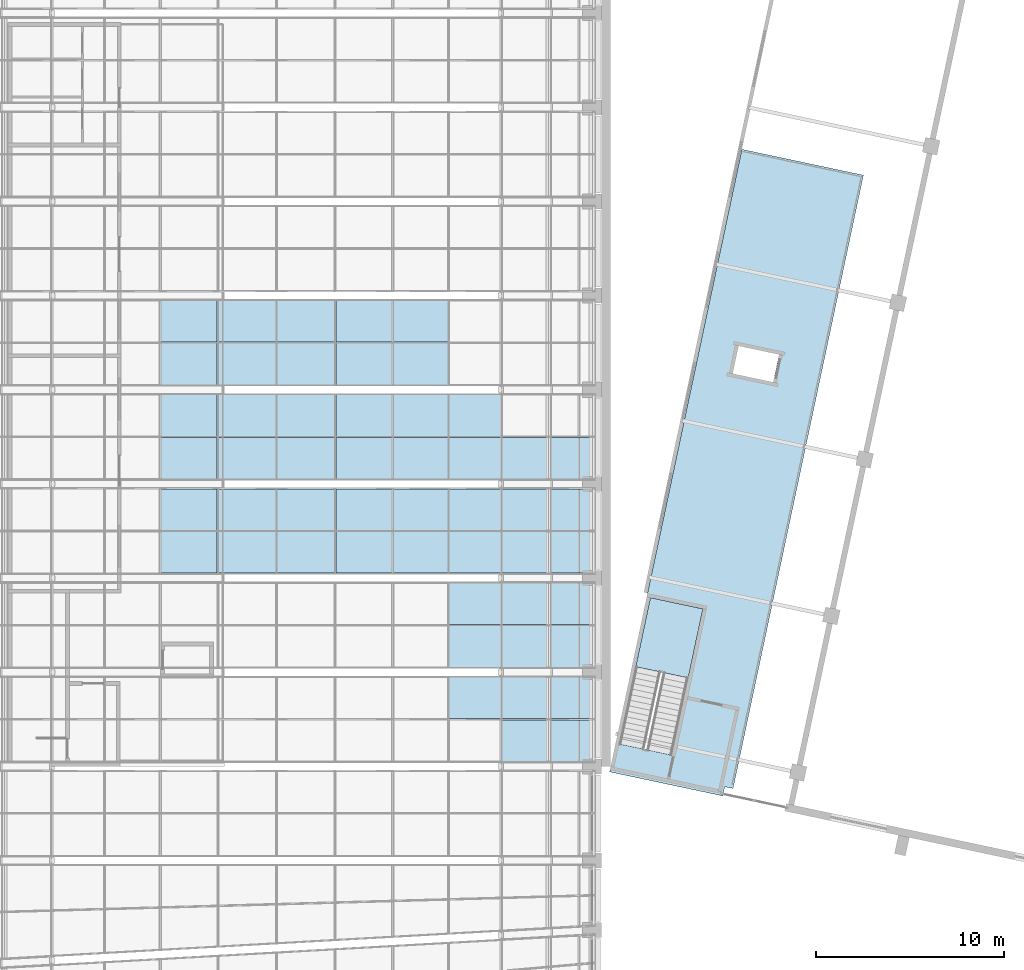
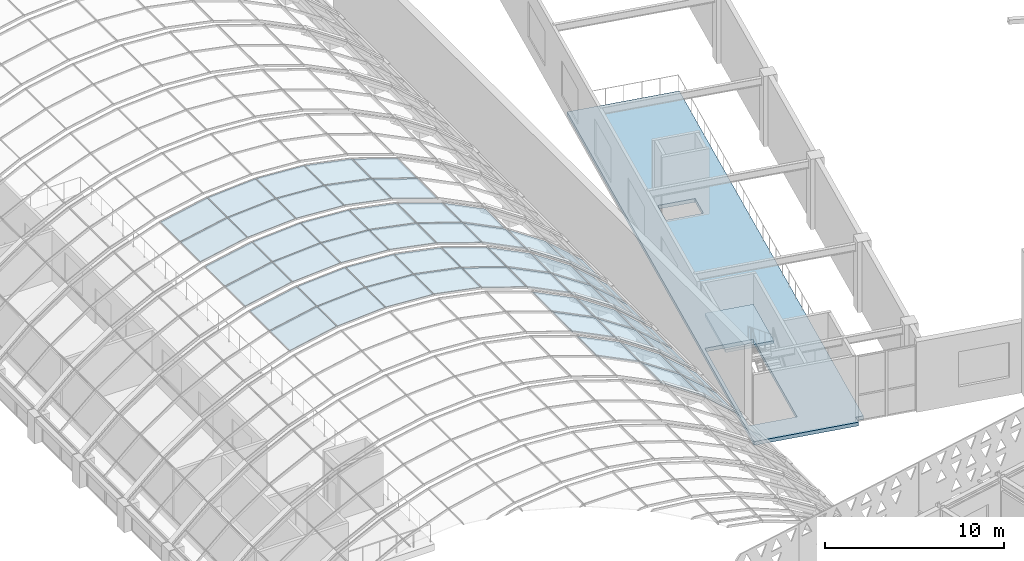
# One storey, part 107 of 182: 51 plates, 2 slabs, 6 elements without a shape of their own.
"""IFC4 building model written with IfcOpenShell, lengths in metres."""

from ifc_helpers import new_model, si_unit, direction, frame, origin, place, context, subcontext, project, spatial, polyline, outline, extrude, material, layer, layer_set, type_object, element, aggregate, save


model = new_model("IFC4")

# Units and contexts
model_context = context("Model", 3, precision=1e-05, world=origin(), true_north=direction((0.0, 1.0)))
body_context = subcontext(model_context, "Body", "Model", "MODEL_VIEW")
ifc_project = project(units=[si_unit("LENGTHUNIT", "METRE"), si_unit("AREAUNIT", "SQUARE_METRE"), si_unit("VOLUMEUNIT", "CUBIC_METRE"), si_unit("PLANEANGLEUNIT", "RADIAN"), si_unit("MASSUNIT", "GRAM", prefix="KILO")], contexts=[model_context])

# Site, building, storey
site_placement = place(None, origin())
site = spatial("IfcSite", under=ifc_project, at=site_placement, CompositionType="ELEMENT")
building_placement = place(site_placement, origin())
building = spatial("IfcBuilding", under=site, at=building_placement, Name="Okhra Congress Centre", CompositionType="ELEMENT")
storey_placement = place(building_placement, frame((0.0, 0.0, 7.199951171875)))
storey = spatial("IfcBuildingStorey", under=building, at=storey_placement, Name="L01", CompositionType="ELEMENT", Elevation=7.199951171875)

# Curtain wall, plates
ifc_material_1 = material(Name="Aluminium frame with triple glazing", Category="aluminium")
curtain_wall_type = type_object("IfcCurtainWallType", Name="Glazed vault bay curtain wall", PredefinedType="NOTDEFINED", material=ifc_material_1)
curtain_wall_1_placement = place(storey_placement, origin())
curtain_wall_1 = element("IfcCurtainWall", 1, at=curtain_wall_1_placement, inside=storey, type_object=curtain_wall_type, Name="Vault glazing bay 5", PredefinedType="NOTDEFINED")
ifc_material_2 = material(Name="Laminated toughened glass unit, low-e coating", Category="glass")
ifc_layer_1 = layer(ifc_material_2, 0.035888671875)
ifc_layer_set_1 = layer_set([ifc_layer_1], Name="Laminated safety glazing unit 36 mm")
plate_type_1 = type_object("IfcPlateType", Name="Laminated safety glazing unit 36 mm", PredefinedType="CURTAIN_PANEL", material=ifc_layer_set_1)
plate_1_placement = place(storey_placement, frame((184.217529296875, 96.26318359375, 5.729248046875), z_axis=(0.55946738617, 0.0, 0.82885236551), x_axis=(0.82885236551, 0.0, -0.55946738617)))
plate_1 = element("IfcPlate", 2, at=plate_1_placement, type_object=plate_type_1, Name="Vault glass panel 5.1.11", PredefinedType="CURTAIN_PANEL", context=body_context, shape_type="SweptSolid", body=[
    extrude(outline(polyline([(0.0, 0.0), (3.0668817430899797, 0.0), (3.0668817430899797, 2.206787109375), (0.0, 2.206787109375), (0.0, 0.0)])), origin(), (0.0, 0.0, -1.0), 0.035888671875),
])
plate_2_placement = place(storey_placement, frame((186.806640625, 96.26318359375, 3.976806640625), z_axis=(0.663696509452, 0.0, 0.748001967472), x_axis=(0.748001967472, 0.0, -0.663696509452)))
plate_2 = element("IfcPlate", 3, at=plate_2_placement, type_object=plate_type_1, Name="Vault glass panel 5.1.12", PredefinedType="CURTAIN_PANEL", context=body_context, shape_type="SweptSolid", body=[
    extrude(outline(polyline([(0.0, 0.0), (3.066763741617069, 0.0), (3.066763741617069, 2.206787109375), (0.0, 2.206787109375), (0.0, 0.0)])), origin(), (0.0, 0.0, -1.0), 0.035888671875),
])
plate_3_placement = place(storey_placement, frame((184.217529296875, 98.530029296875, 5.729248046875), z_axis=(0.55946738617, 0.0, 0.82885236551), x_axis=(0.82885236551, 0.0, -0.55946738617)))
plate_3 = element("IfcPlate", 4, at=plate_3_placement, type_object=plate_type_1, Name="Vault glass panel 5.2.11", PredefinedType="CURTAIN_PANEL", context=body_context, shape_type="SweptSolid", body=[
    extrude(outline(polyline([(0.0, 0.0), (3.0668817430899797, 0.0), (3.0668817430899797, 2.206787109375), (0.0, 2.206787109375), (0.0, 0.0)])), origin(), (0.0, 0.0, -1.0), 0.035888671875),
])
plate_4_placement = place(storey_placement, frame((186.806640625, 98.530029296875, 3.976806640625), z_axis=(0.663696509452, 0.0, 0.748001967472), x_axis=(0.748001967472, 0.0, -0.663696509452)))
plate_4 = element("IfcPlate", 5, at=plate_4_placement, type_object=plate_type_1, Name="Vault glass panel 5.2.12", PredefinedType="CURTAIN_PANEL", context=body_context, shape_type="SweptSolid", body=[
    extrude(outline(polyline([(0.0, 0.0), (3.066763741617069, 0.0), (3.066763741617069, 2.206787109375), (0.0, 2.206787109375), (0.0, 0.0)])), origin(), (0.0, 0.0, -1.0), 0.035888671875),
])

curtain_wall_2_placement = place(storey_placement, origin())
curtain_wall_2 = element("IfcCurtainWall", 6, at=curtain_wall_2_placement, inside=storey, type_object=curtain_wall_type, Name="Vault glazing bay 6", PredefinedType="NOTDEFINED")
plate_5_placement = place(storey_placement, frame((184.217529296875, 101.26318359375, 5.729248046875), z_axis=(0.55946738617, 0.0, 0.82885236551), x_axis=(0.82885236551, 0.0, -0.55946738617)))
plate_5 = element("IfcPlate", 7, at=plate_5_placement, type_object=plate_type_1, Name="Vault glass panel 6.1.11", PredefinedType="CURTAIN_PANEL", context=body_context, shape_type="SweptSolid", body=[
    extrude(outline(polyline([(0.0, 0.0), (3.0668817430899797, 0.0), (3.0668817430899797, 2.206787109375), (0.0, 2.206787109375), (0.0, 0.0)])), origin(), (0.0, 0.0, -1.0), 0.035888671875),
])
plate_6_placement = place(storey_placement, frame((186.806640625, 101.26318359375, 3.976806640625), z_axis=(0.663696509452, 0.0, 0.748001967472), x_axis=(0.748001967472, 0.0, -0.663696509452)))
plate_6 = element("IfcPlate", 8, at=plate_6_placement, type_object=plate_type_1, Name="Vault glass panel 6.1.12", PredefinedType="CURTAIN_PANEL", context=body_context, shape_type="SweptSolid", body=[
    extrude(outline(polyline([(0.0, 0.0), (3.066763741617069, 0.0), (3.066763741617069, 2.206787109375), (0.0, 2.206787109375), (0.0, 0.0)])), origin(), (0.0, 0.0, -1.0), 0.035888671875),
])
plate_7_placement = place(storey_placement, frame((184.217529296875, 103.530029296875, 5.729248046875), z_axis=(0.55946738617, 0.0, 0.82885236551), x_axis=(0.82885236551, 0.0, -0.55946738617)))
plate_7 = element("IfcPlate", 9, at=plate_7_placement, type_object=plate_type_1, Name="Vault glass panel 6.2.11", PredefinedType="CURTAIN_PANEL", context=body_context, shape_type="SweptSolid", body=[
    extrude(outline(polyline([(0.0, 0.0), (3.0668817430899797, 0.0), (3.0668817430899797, 2.206787109375), (0.0, 2.206787109375), (0.0, 0.0)])), origin(), (0.0, 0.0, -1.0), 0.035888671875),
])
plate_8_placement = place(storey_placement, frame((186.806640625, 103.530029296875, 3.976806640625), z_axis=(0.663696509452, 0.0, 0.748001967472), x_axis=(0.748001967472, 0.0, -0.663696509452)))
plate_8 = element("IfcPlate", 10, at=plate_8_placement, type_object=plate_type_1, Name="Vault glass panel 6.2.12", PredefinedType="CURTAIN_PANEL", context=body_context, shape_type="SweptSolid", body=[
    extrude(outline(polyline([(0.0, 0.0), (3.066763741617069, 0.0), (3.066763741617069, 2.206787109375), (0.0, 2.206787109375), (0.0, 0.0)])), origin(), (0.0, 0.0, -1.0), 0.035888671875),
])

curtain_wall_3_placement = place(storey_placement, origin())
curtain_wall_3 = element("IfcCurtainWall", 11, at=curtain_wall_3_placement, inside=storey, type_object=curtain_wall_type, Name="Vault glazing bay 7", PredefinedType="NOTDEFINED")
plate_9_placement = place(storey_placement, frame((184.217529296875, 106.26318359375, 5.729248046875), z_axis=(0.55946738617, 0.0, 0.82885236551), x_axis=(0.82885236551, 0.0, -0.55946738617)))
plate_9 = element("IfcPlate", 12, at=plate_9_placement, type_object=plate_type_1, Name="Vault glass panel 7.1.11", PredefinedType="CURTAIN_PANEL", context=body_context, shape_type="SweptSolid", body=[
    extrude(outline(polyline([(0.0, 0.0), (3.0668817430899797, 0.0), (3.0668817430899797, 2.206787109375), (0.0, 2.206787109375), (0.0, 0.0)])), origin(), (0.0, 0.0, -1.0), 0.035888671875),
])
plate_10_placement = place(storey_placement, frame((186.806640625, 106.26318359375, 3.976806640625), z_axis=(0.663696509452, 0.0, 0.748001967472), x_axis=(0.748001967472, 0.0, -0.663696509452)))
plate_10 = element("IfcPlate", 13, at=plate_10_placement, type_object=plate_type_1, Name="Vault glass panel 7.1.12", PredefinedType="CURTAIN_PANEL", context=body_context, shape_type="SweptSolid", body=[
    extrude(outline(polyline([(0.0, 0.0), (3.066763741617069, 0.0), (3.066763741617069, 2.206787109375), (0.0, 2.206787109375), (0.0, 0.0)])), origin(), (0.0, 0.0, -1.0), 0.035888671875),
])
plate_11_placement = place(storey_placement, frame((184.217529296875, 108.530029296875, 5.729248046875), z_axis=(0.55946738617, 0.0, 0.82885236551), x_axis=(0.82885236551, 0.0, -0.55946738617)))
plate_11 = element("IfcPlate", 14, at=plate_11_placement, type_object=plate_type_1, Name="Vault glass panel 7.2.11", PredefinedType="CURTAIN_PANEL", context=body_context, shape_type="SweptSolid", body=[
    extrude(outline(polyline([(0.0, 0.0), (3.0668817430899797, 0.0), (3.0668817430899797, 2.206787109375), (0.0, 2.206787109375), (0.0, 0.0)])), origin(), (0.0, 0.0, -1.0), 0.035888671875),
])
plate_12_placement = place(storey_placement, frame((186.806640625, 108.530029296875, 3.976806640625), z_axis=(0.663696509452, 0.0, 0.748001967472), x_axis=(0.748001967472, 0.0, -0.663696509452)))
plate_12 = element("IfcPlate", 15, at=plate_12_placement, type_object=plate_type_1, Name="Vault glass panel 7.2.12", PredefinedType="CURTAIN_PANEL", context=body_context, shape_type="SweptSolid", body=[
    extrude(outline(polyline([(0.0, 0.0), (3.066763741617069, 0.0), (3.066763741617069, 2.206787109375), (0.0, 2.206787109375), (0.0, 0.0)])), origin(), (0.0, 0.0, -1.0), 0.035888671875),
])

curtain_wall_4_placement = place(storey_placement, origin())
curtain_wall_4 = element("IfcCurtainWall", 16, at=curtain_wall_4_placement, inside=storey, type_object=curtain_wall_type, Name="Vault glazing bay 8", PredefinedType="NOTDEFINED")
plate_13_placement = place(storey_placement, frame((184.217529296875, 111.26318359375, 5.729248046875), z_axis=(0.55946738617, 0.0, 0.82885236551), x_axis=(0.82885236551, 0.0, -0.55946738617)))
plate_13 = element("IfcPlate", 17, at=plate_13_placement, type_object=plate_type_1, Name="Vault glass panel 8.1.11", PredefinedType="CURTAIN_PANEL", context=body_context, shape_type="SweptSolid", body=[
    extrude(outline(polyline([(0.0, 0.0), (3.0668817430899797, 0.0), (3.0668817430899797, 2.206787109375), (0.0, 2.206787109375), (0.0, 0.0)])), origin(), (0.0, 0.0, -1.0), 0.035888671875),
])
plate_14_placement = place(storey_placement, frame((186.806640625, 111.26318359375, 3.976806640625), z_axis=(0.663696509452, 0.0, 0.748001967472), x_axis=(0.748001967472, 0.0, -0.663696509452)))
plate_14 = element("IfcPlate", 18, at=plate_14_placement, type_object=plate_type_1, Name="Vault glass panel 8.1.12", PredefinedType="CURTAIN_PANEL", context=body_context, shape_type="SweptSolid", body=[
    extrude(outline(polyline([(0.0, 0.0), (3.066763741617069, 0.0), (3.066763741617069, 2.206787109375), (0.0, 2.206787109375), (0.0, 0.0)])), origin(), (0.0, 0.0, -1.0), 0.035888671875),
])

# Slab
ifc_material_3 = material(Name="Concrete C30/37", Category="concrete")
ifc_layer_2 = layer(ifc_material_3, 0.25)
ifc_layer_set_2 = layer_set([ifc_layer_2], Name="RC floor slab 250 REI 120 C30/37")
slab_type_1 = type_object("IfcSlabType", Name="RC floor slab 250 REI 120 C30/37", PredefinedType="FLOOR", material=ifc_layer_set_2)
slab_1_placement = place(storey_placement, frame((0.0, 0.0, -0.25)))
element("IfcSlab", 19, at=slab_1_placement, inside=storey, type_object=slab_type_1, Name="Foyer gallery floor slab", PredefinedType="FLOOR", context=body_context, shape_type="SweptSolid", body=[
    extrude(outline(polyline([(189.937744140625, 95.70654296875), (195.953125, 94.427978515625), (196.05712890625, 94.9169921875), (196.497314453125, 94.823486328125), (203.4208984375, 127.395751953125), (196.965087890625, 128.76806640625), (189.937744140625, 95.70654296875)]), holes=[polyline([(193.245361328125, 96.598388671875), (194.896240234375, 104.36474609375), (192.1083984375, 104.957275390625), (190.45751953125, 97.19091796875), (193.245361328125, 96.598388671875)]), polyline([(196.478271484375, 116.85888671875), (198.63037109375, 116.4013671875), (198.942138671875, 117.86865234375), (196.790283203125, 118.326171875), (196.478271484375, 116.85888671875)])]), origin(), (0.0, 0.0, 1.0), 0.25),
])

# Stair, slab
stair_type = type_object("IfcStairType", Name="Escape stair 1350 wide, 30 risers of 160.0", PredefinedType="HALF_TURN_STAIR", material=ifc_material_3)
stair_placement = place(storey_placement, origin())
stair = element("IfcStair", 20, at=stair_placement, inside=storey, type_object=stair_type, Name="L01 Gallery Stair", PredefinedType="HALF_TURN_STAIR")
ifc_layer_3 = layer(ifc_material_3, 0.199951171875)
ifc_layer_set_3 = layer_set([ifc_layer_3], Name="RC stair landing 200 C30/37")
slab_type_2 = type_object("IfcSlabType", Name="RC stair landing 200 C30/37", PredefinedType="LANDING", material=ifc_layer_set_3)
slab_2_placement = place(storey_placement, frame((0.0, 0.0, 2.199951171875)))
slab_2 = element("IfcSlab", 21, at=slab_2_placement, type_object=slab_type_2, Name="BG1 landing 1", PredefinedType="LANDING", context=body_context, shape_type="SweptSolid", body=[
    extrude(outline(polyline([(194.116455078125, 100.69677734375), (194.896240234375, 104.36474609375), (192.1083984375, 104.957275390625), (191.328857421875, 101.289306640625), (194.116455078125, 100.69677734375)])), origin(), (0.0, 0.0, 1.0), 0.2001953125),
])
aggregate(stair, [slab_2])

# Plate
ifc_material_4 = material(Name="Toughened triple glazed unit")
ifc_layer_4 = layer(ifc_material_4, 0.028076171875)
ifc_layer_set_4 = layer_set([ifc_layer_4], Name="Triple glazed unit 28 mm")
plate_type_2 = type_object("IfcPlateType", Name="Triple glazed unit 28 mm", PredefinedType="CURTAIN_PANEL", material=ifc_layer_set_4)
plate_15_placement = place(storey_placement, frame((181.4189453125, 98.530029296875, 7.122314453125), z_axis=(0.445588482535, 0.0, 0.895237903706), x_axis=(0.895237903706, 0.0, -0.445588482535)))
plate_15 = element("IfcPlate", 22, at=plate_15_placement, type_object=plate_type_2, Name="Vault glass panel 5.2.10", PredefinedType="CURTAIN_PANEL", context=body_context, shape_type="SweptSolid", body=[
    extrude(outline(polyline([(0.0, 0.0), (3.066082250887193, 0.0), (3.066082250887193, 2.206787109375), (0.0, 2.206787109375), (0.0, 0.0)])), origin(), (0.0, 0.0, -1.0), 0.028076171875),
])

aggregate(curtain_wall_1, [plate_1, plate_2, plate_15, plate_3, plate_4])

plate_16_placement = place(storey_placement, frame((181.4189453125, 101.26318359375, 7.122314453125), z_axis=(0.445588482535, 0.0, 0.895237903706), x_axis=(0.895237903706, 0.0, -0.445588482535)))
plate_16 = element("IfcPlate", 23, at=plate_16_placement, type_object=plate_type_2, Name="Vault glass panel 6.1.10", PredefinedType="CURTAIN_PANEL", context=body_context, shape_type="SweptSolid", body=[
    extrude(outline(polyline([(0.0, 0.0), (3.066082250887193, 0.0), (3.066082250887193, 2.206787109375), (0.0, 2.206787109375), (0.0, 0.0)])), origin(), (0.0, 0.0, -1.0), 0.028076171875),
])

plate_17_placement = place(storey_placement, frame((181.4189453125, 103.530029296875, 7.122314453125), z_axis=(0.445588482535, 0.0, 0.895237903706), x_axis=(0.895237903706, 0.0, -0.445588482535)))
plate_17 = element("IfcPlate", 24, at=plate_17_placement, type_object=plate_type_2, Name="Vault glass panel 6.2.10", PredefinedType="CURTAIN_PANEL", context=body_context, shape_type="SweptSolid", body=[
    extrude(outline(polyline([(0.0, 0.0), (3.066082250887193, 0.0), (3.066082250887193, 2.206787109375), (0.0, 2.206787109375), (0.0, 0.0)])), origin(), (0.0, 0.0, -1.0), 0.028076171875),
])

aggregate(curtain_wall_2, [plate_16, plate_5, plate_6, plate_17, plate_7, plate_8])

plate_18_placement = place(storey_placement, frame((166.094970703125, 106.26318359375, 8.154052734375), z_axis=(-0.196667336174, 0.0, 0.980470274349), x_axis=(0.980470274349, 0.0, 0.196667336174)))
plate_18 = element("IfcPlate", 25, at=plate_18_placement, type_object=plate_type_2, Name="Vault glass panel 7.1.5", PredefinedType="CURTAIN_PANEL", context=body_context, shape_type="SweptSolid", body=[
    extrude(outline(polyline([(0.0, 0.0), (3.0662302926476426, 0.0), (3.0662302926476426, 2.206787109375), (0.0, 2.206787109375), (0.0, 0.0)])), origin(), (0.0, 0.0, -1.0), 0.028076171875),
])

plate_19_placement = place(storey_placement, frame((169.16064453125, 106.26318359375, 8.764892578125), z_axis=(-0.065932355807, 0.0, 0.997824094947), x_axis=(0.997824094947, 0.0, 0.065932355807)))
plate_19 = element("IfcPlate", 26, at=plate_19_placement, type_object=plate_type_2, Name="Vault glass panel 7.1.6", PredefinedType="CURTAIN_PANEL", context=body_context, shape_type="SweptSolid", body=[
    extrude(outline(polyline([(0.0, 0.0), (3.0659974913073613, 0.0), (3.0659974913073613, 2.2067871093750004), (0.0, 2.2067871093750004), (0.0, 0.0)])), origin(), (0.0, 0.0, -1.0), 0.028076171875),
])

plate_20_placement = place(storey_placement, frame((172.280029296875, 106.26318359375, 8.967041015625), z_axis=(0.065932355807, 0.0, 0.997824094947), x_axis=(0.997824094947, 0.0, -0.065932355807)))
plate_20 = element("IfcPlate", 27, at=plate_20_placement, type_object=plate_type_2, Name="Vault glass panel 7.1.7", PredefinedType="CURTAIN_PANEL", context=body_context, shape_type="SweptSolid", body=[
    extrude(outline(polyline([(0.0, 0.0), (3.0659974913073613, 0.0), (3.0659974913073613, 2.2067871093750004), (0.0, 2.2067871093750004), (0.0, 0.0)])), origin(), (0.0, 0.0, -1.0), 0.028076171875),
])

plate_21_placement = place(storey_placement, frame((175.398681640625, 106.26318359375, 8.757080078125), z_axis=(0.196667336174, 0.0, 0.980470274349), x_axis=(0.980470274349, 0.0, -0.196667336174)))
plate_21 = element("IfcPlate", 28, at=plate_21_placement, type_object=plate_type_2, Name="Vault glass panel 7.1.8", PredefinedType="CURTAIN_PANEL", context=body_context, shape_type="SweptSolid", body=[
    extrude(outline(polyline([(0.0, 0.0), (3.0662302926476426, 0.0), (3.0662302926476426, 2.206787109375), (0.0, 2.206787109375), (0.0, 0.0)])), origin(), (0.0, 0.0, -1.0), 0.028076171875),
])

plate_22_placement = place(storey_placement, frame((178.462890625, 106.26318359375, 8.138427734375), z_axis=(0.323909017048, 0.0, 0.946088235143), x_axis=(0.946088235143, 0.0, -0.323909017048)))
plate_22 = element("IfcPlate", 29, at=plate_22_placement, type_object=plate_type_2, Name="Vault glass panel 7.1.9", PredefinedType="CURTAIN_PANEL", context=body_context, shape_type="SweptSolid", body=[
    extrude(outline(polyline([(0.0, 0.0), (3.0661822000278622, 0.0), (3.0661822000278622, 2.2067871093750004), (0.0, 2.2067871093750004), (0.0, 0.0)])), origin(), (0.0, 0.0, -1.0), 0.028076171875),
])

plate_23_placement = place(storey_placement, frame((181.4189453125, 106.26318359375, 7.122314453125), z_axis=(0.445588482535, 0.0, 0.895237903706), x_axis=(0.895237903706, 0.0, -0.445588482535)))
plate_23 = element("IfcPlate", 30, at=plate_23_placement, type_object=plate_type_2, Name="Vault glass panel 7.1.10", PredefinedType="CURTAIN_PANEL", context=body_context, shape_type="SweptSolid", body=[
    extrude(outline(polyline([(0.0, 0.0), (3.066082250887193, 0.0), (3.066082250887193, 2.206787109375), (0.0, 2.206787109375), (0.0, 0.0)])), origin(), (0.0, 0.0, -1.0), 0.028076171875),
])

plate_24_placement = place(storey_placement, frame((166.094970703125, 108.530029296875, 8.154052734375), z_axis=(-0.196667336174, 0.0, 0.980470274349), x_axis=(0.980470274349, 0.0, 0.196667336174)))
plate_24 = element("IfcPlate", 31, at=plate_24_placement, type_object=plate_type_2, Name="Vault glass panel 7.2.5", PredefinedType="CURTAIN_PANEL", context=body_context, shape_type="SweptSolid", body=[
    extrude(outline(polyline([(0.0, 0.0), (3.0662302926476426, 0.0), (3.0662302926476426, 2.206787109375), (0.0, 2.206787109375), (0.0, 0.0)])), origin(), (0.0, 0.0, -1.0), 0.028076171875),
])

plate_25_placement = place(storey_placement, frame((169.16064453125, 108.530029296875, 8.764892578125), z_axis=(-0.065932355807, 0.0, 0.997824094947), x_axis=(0.997824094947, 0.0, 0.065932355807)))
plate_25 = element("IfcPlate", 32, at=plate_25_placement, type_object=plate_type_2, Name="Vault glass panel 7.2.6", PredefinedType="CURTAIN_PANEL", context=body_context, shape_type="SweptSolid", body=[
    extrude(outline(polyline([(0.0, 0.0), (3.0659974913073613, 0.0), (3.0659974913073613, 2.2067871093750004), (0.0, 2.2067871093750004), (0.0, 0.0)])), origin(), (0.0, 0.0, -1.0), 0.028076171875),
])

plate_26_placement = place(storey_placement, frame((172.280029296875, 108.530029296875, 8.967041015625), z_axis=(0.065932355807, 0.0, 0.997824094947), x_axis=(0.997824094947, 0.0, -0.065932355807)))
plate_26 = element("IfcPlate", 33, at=plate_26_placement, type_object=plate_type_2, Name="Vault glass panel 7.2.7", PredefinedType="CURTAIN_PANEL", context=body_context, shape_type="SweptSolid", body=[
    extrude(outline(polyline([(0.0, 0.0), (3.0659974913073613, 0.0), (3.0659974913073613, 2.2067871093750004), (0.0, 2.2067871093750004), (0.0, 0.0)])), origin(), (0.0, 0.0, -1.0), 0.028076171875),
])

plate_27_placement = place(storey_placement, frame((175.398681640625, 108.530029296875, 8.757080078125), z_axis=(0.196667336174, 0.0, 0.980470274349), x_axis=(0.980470274349, 0.0, -0.196667336174)))
plate_27 = element("IfcPlate", 34, at=plate_27_placement, type_object=plate_type_2, Name="Vault glass panel 7.2.8", PredefinedType="CURTAIN_PANEL", context=body_context, shape_type="SweptSolid", body=[
    extrude(outline(polyline([(0.0, 0.0), (3.0662302926476426, 0.0), (3.0662302926476426, 2.206787109375), (0.0, 2.206787109375), (0.0, 0.0)])), origin(), (0.0, 0.0, -1.0), 0.028076171875),
])

plate_28_placement = place(storey_placement, frame((178.462890625, 108.530029296875, 8.138427734375), z_axis=(0.323909017048, 0.0, 0.946088235143), x_axis=(0.946088235143, 0.0, -0.323909017048)))
plate_28 = element("IfcPlate", 35, at=plate_28_placement, type_object=plate_type_2, Name="Vault glass panel 7.2.9", PredefinedType="CURTAIN_PANEL", context=body_context, shape_type="SweptSolid", body=[
    extrude(outline(polyline([(0.0, 0.0), (3.0661822000278622, 0.0), (3.0661822000278622, 2.2067871093750004), (0.0, 2.2067871093750004), (0.0, 0.0)])), origin(), (0.0, 0.0, -1.0), 0.028076171875),
])

plate_29_placement = place(storey_placement, frame((181.4189453125, 108.530029296875, 7.122314453125), z_axis=(0.445588482535, 0.0, 0.895237903706), x_axis=(0.895237903706, 0.0, -0.445588482535)))
plate_29 = element("IfcPlate", 36, at=plate_29_placement, type_object=plate_type_2, Name="Vault glass panel 7.2.10", PredefinedType="CURTAIN_PANEL", context=body_context, shape_type="SweptSolid", body=[
    extrude(outline(polyline([(0.0, 0.0), (3.066082250887193, 0.0), (3.066082250887193, 2.206787109375), (0.0, 2.206787109375), (0.0, 0.0)])), origin(), (0.0, 0.0, -1.0), 0.028076171875),
])

aggregate(curtain_wall_3, [plate_18, plate_19, plate_20, plate_21, plate_22, plate_23, plate_9, plate_10, plate_24, plate_25, plate_26, plate_27, plate_28, plate_29, plate_11, plate_12])

plate_30_placement = place(storey_placement, frame((166.094970703125, 111.26318359375, 8.154052734375), z_axis=(-0.196667336174, 0.0, 0.980470274349), x_axis=(0.980470274349, 0.0, 0.196667336174)))
plate_30 = element("IfcPlate", 37, at=plate_30_placement, type_object=plate_type_2, Name="Vault glass panel 8.1.5", PredefinedType="CURTAIN_PANEL", context=body_context, shape_type="SweptSolid", body=[
    extrude(outline(polyline([(0.0, 0.0), (3.0662302926476426, 0.0), (3.0662302926476426, 2.206787109375), (0.0, 2.206787109375), (0.0, 0.0)])), origin(), (0.0, 0.0, -1.0), 0.028076171875),
])

plate_31_placement = place(storey_placement, frame((169.16064453125, 111.26318359375, 8.764892578125), z_axis=(-0.065932355807, 0.0, 0.997824094947), x_axis=(0.997824094947, 0.0, 0.065932355807)))
plate_31 = element("IfcPlate", 38, at=plate_31_placement, type_object=plate_type_2, Name="Vault glass panel 8.1.6", PredefinedType="CURTAIN_PANEL", context=body_context, shape_type="SweptSolid", body=[
    extrude(outline(polyline([(0.0, 0.0), (3.0659974913073613, 0.0), (3.0659974913073613, 2.2067871093750004), (0.0, 2.2067871093750004), (0.0, 0.0)])), origin(), (0.0, 0.0, -1.0), 0.028076171875),
])

plate_32_placement = place(storey_placement, frame((172.280029296875, 111.26318359375, 8.967041015625), z_axis=(0.065932355807, 0.0, 0.997824094947), x_axis=(0.997824094947, 0.0, -0.065932355807)))
plate_32 = element("IfcPlate", 39, at=plate_32_placement, type_object=plate_type_2, Name="Vault glass panel 8.1.7", PredefinedType="CURTAIN_PANEL", context=body_context, shape_type="SweptSolid", body=[
    extrude(outline(polyline([(0.0, 0.0), (3.0659974913073613, 0.0), (3.0659974913073613, 2.2067871093750004), (0.0, 2.2067871093750004), (0.0, 0.0)])), origin(), (0.0, 0.0, -1.0), 0.028076171875),
])

plate_33_placement = place(storey_placement, frame((175.398681640625, 111.26318359375, 8.757080078125), z_axis=(0.196667336174, 0.0, 0.980470274349), x_axis=(0.980470274349, 0.0, -0.196667336174)))
plate_33 = element("IfcPlate", 40, at=plate_33_placement, type_object=plate_type_2, Name="Vault glass panel 8.1.8", PredefinedType="CURTAIN_PANEL", context=body_context, shape_type="SweptSolid", body=[
    extrude(outline(polyline([(0.0, 0.0), (3.0662302926476426, 0.0), (3.0662302926476426, 2.206787109375), (0.0, 2.206787109375), (0.0, 0.0)])), origin(), (0.0, 0.0, -1.0), 0.028076171875),
])

plate_34_placement = place(storey_placement, frame((178.462890625, 111.26318359375, 8.138427734375), z_axis=(0.323909017048, 0.0, 0.946088235143), x_axis=(0.946088235143, 0.0, -0.323909017048)))
plate_34 = element("IfcPlate", 41, at=plate_34_placement, type_object=plate_type_2, Name="Vault glass panel 8.1.9", PredefinedType="CURTAIN_PANEL", context=body_context, shape_type="SweptSolid", body=[
    extrude(outline(polyline([(0.0, 0.0), (3.0661822000278622, 0.0), (3.0661822000278622, 2.2067871093750004), (0.0, 2.2067871093750004), (0.0, 0.0)])), origin(), (0.0, 0.0, -1.0), 0.028076171875),
])

plate_35_placement = place(storey_placement, frame((181.4189453125, 111.26318359375, 7.122314453125), z_axis=(0.445588482535, 0.0, 0.895237903706), x_axis=(0.895237903706, 0.0, -0.445588482535)))
plate_35 = element("IfcPlate", 42, at=plate_35_placement, type_object=plate_type_2, Name="Vault glass panel 8.1.10", PredefinedType="CURTAIN_PANEL", context=body_context, shape_type="SweptSolid", body=[
    extrude(outline(polyline([(0.0, 0.0), (3.066082250887193, 0.0), (3.066082250887193, 2.206787109375), (0.0, 2.206787109375), (0.0, 0.0)])), origin(), (0.0, 0.0, -1.0), 0.028076171875),
])

plate_36_placement = place(storey_placement, frame((166.094970703125, 113.530029296875, 8.154052734375), z_axis=(-0.196667336174, 0.0, 0.980470274349), x_axis=(0.980470274349, 0.0, 0.196667336174)))
plate_36 = element("IfcPlate", 43, at=plate_36_placement, type_object=plate_type_2, Name="Vault glass panel 8.2.5", PredefinedType="CURTAIN_PANEL", context=body_context, shape_type="SweptSolid", body=[
    extrude(outline(polyline([(0.0, 0.0), (3.0662302926476426, 0.0), (3.0662302926476426, 2.206787109375), (0.0, 2.206787109375), (0.0, 0.0)])), origin(), (0.0, 0.0, -1.0), 0.028076171875),
])

plate_37_placement = place(storey_placement, frame((169.16064453125, 113.530029296875, 8.764892578125), z_axis=(-0.065932355807, 0.0, 0.997824094947), x_axis=(0.997824094947, 0.0, 0.065932355807)))
plate_37 = element("IfcPlate", 44, at=plate_37_placement, type_object=plate_type_2, Name="Vault glass panel 8.2.6", PredefinedType="CURTAIN_PANEL", context=body_context, shape_type="SweptSolid", body=[
    extrude(outline(polyline([(0.0, 0.0), (3.0659974913073613, 0.0), (3.0659974913073613, 2.2067871093750004), (0.0, 2.2067871093750004), (0.0, 0.0)])), origin(), (0.0, 0.0, -1.0), 0.028076171875),
])

plate_38_placement = place(storey_placement, frame((172.280029296875, 113.530029296875, 8.967041015625), z_axis=(0.065932355807, 0.0, 0.997824094947), x_axis=(0.997824094947, 0.0, -0.065932355807)))
plate_38 = element("IfcPlate", 45, at=plate_38_placement, type_object=plate_type_2, Name="Vault glass panel 8.2.7", PredefinedType="CURTAIN_PANEL", context=body_context, shape_type="SweptSolid", body=[
    extrude(outline(polyline([(0.0, 0.0), (3.0659974913073613, 0.0), (3.0659974913073613, 2.2067871093750004), (0.0, 2.2067871093750004), (0.0, 0.0)])), origin(), (0.0, 0.0, -1.0), 0.028076171875),
])

plate_39_placement = place(storey_placement, frame((175.398681640625, 113.530029296875, 8.757080078125), z_axis=(0.196667336174, 0.0, 0.980470274349), x_axis=(0.980470274349, 0.0, -0.196667336174)))
plate_39 = element("IfcPlate", 46, at=plate_39_placement, type_object=plate_type_2, Name="Vault glass panel 8.2.8", PredefinedType="CURTAIN_PANEL", context=body_context, shape_type="SweptSolid", body=[
    extrude(outline(polyline([(0.0, 0.0), (3.0662302926476426, 0.0), (3.0662302926476426, 2.206787109375), (0.0, 2.206787109375), (0.0, 0.0)])), origin(), (0.0, 0.0, -1.0), 0.028076171875),
])

plate_40_placement = place(storey_placement, frame((178.462890625, 113.530029296875, 8.138427734375), z_axis=(0.323909017048, 0.0, 0.946088235143), x_axis=(0.946088235143, 0.0, -0.323909017048)))
plate_40 = element("IfcPlate", 47, at=plate_40_placement, type_object=plate_type_2, Name="Vault glass panel 8.2.9", PredefinedType="CURTAIN_PANEL", context=body_context, shape_type="SweptSolid", body=[
    extrude(outline(polyline([(0.0, 0.0), (3.0661822000278622, 0.0), (3.0661822000278622, 2.2067871093750004), (0.0, 2.2067871093750004), (0.0, 0.0)])), origin(), (0.0, 0.0, -1.0), 0.028076171875),
])

plate_41_placement = place(storey_placement, frame((181.4189453125, 113.530029296875, 7.122314453125), z_axis=(0.445588482535, 0.0, 0.895237903706), x_axis=(0.895237903706, 0.0, -0.445588482535)))
plate_41 = element("IfcPlate", 48, at=plate_41_placement, type_object=plate_type_2, Name="Vault glass panel 8.2.10", PredefinedType="CURTAIN_PANEL", context=body_context, shape_type="SweptSolid", body=[
    extrude(outline(polyline([(0.0, 0.0), (3.066082250887193, 0.0), (3.066082250887193, 2.206787109375), (0.0, 2.206787109375), (0.0, 0.0)])), origin(), (0.0, 0.0, -1.0), 0.028076171875),
])

aggregate(curtain_wall_4, [plate_30, plate_31, plate_32, plate_33, plate_34, plate_35, plate_13, plate_14, plate_36, plate_37, plate_38, plate_39, plate_40, plate_41])

# Curtain wall, plates
curtain_wall_5_placement = place(storey_placement, origin())
curtain_wall_5 = element("IfcCurtainWall", 49, at=curtain_wall_5_placement, inside=storey, type_object=curtain_wall_type, Name="Vault glazing bay 9", PredefinedType="NOTDEFINED")
plate_42_placement = place(storey_placement, frame((166.094970703125, 116.26318359375, 8.154052734375), z_axis=(-0.196667336174, 0.0, 0.980470274349), x_axis=(0.980470274349, 0.0, 0.196667336174)))
plate_42 = element("IfcPlate", 50, at=plate_42_placement, type_object=plate_type_2, Name="Vault glass panel 9.1.5", PredefinedType="CURTAIN_PANEL", context=body_context, shape_type="SweptSolid", body=[
    extrude(outline(polyline([(0.0, 0.0), (3.0662302926476426, 0.0), (3.0662302926476426, 2.206787109375), (0.0, 2.206787109375), (0.0, 0.0)])), origin(), (0.0, 0.0, -1.0), 0.028076171875),
])
plate_43_placement = place(storey_placement, frame((169.16064453125, 116.26318359375, 8.764892578125), z_axis=(-0.065932355807, 0.0, 0.997824094947), x_axis=(0.997824094947, 0.0, 0.065932355807)))
plate_43 = element("IfcPlate", 51, at=plate_43_placement, type_object=plate_type_2, Name="Vault glass panel 9.1.6", PredefinedType="CURTAIN_PANEL", context=body_context, shape_type="SweptSolid", body=[
    extrude(outline(polyline([(0.0, 0.0), (3.0659974913073613, 0.0), (3.0659974913073613, 2.2067871093750004), (0.0, 2.2067871093750004), (0.0, 0.0)])), origin(), (0.0, 0.0, -1.0), 0.028076171875),
])
plate_44_placement = place(storey_placement, frame((172.280029296875, 116.26318359375, 8.967041015625), z_axis=(0.065932355807, 0.0, 0.997824094947), x_axis=(0.997824094947, 0.0, -0.065932355807)))
plate_44 = element("IfcPlate", 52, at=plate_44_placement, type_object=plate_type_2, Name="Vault glass panel 9.1.7", PredefinedType="CURTAIN_PANEL", context=body_context, shape_type="SweptSolid", body=[
    extrude(outline(polyline([(0.0, 0.0), (3.0659974913073613, 0.0), (3.0659974913073613, 2.2067871093750004), (0.0, 2.2067871093750004), (0.0, 0.0)])), origin(), (0.0, 0.0, -1.0), 0.028076171875),
])
plate_45_placement = place(storey_placement, frame((175.398681640625, 116.26318359375, 8.757080078125), z_axis=(0.196667336174, 0.0, 0.980470274349), x_axis=(0.980470274349, 0.0, -0.196667336174)))
plate_45 = element("IfcPlate", 53, at=plate_45_placement, type_object=plate_type_2, Name="Vault glass panel 9.1.8", PredefinedType="CURTAIN_PANEL", context=body_context, shape_type="SweptSolid", body=[
    extrude(outline(polyline([(0.0, 0.0), (3.0662302926476426, 0.0), (3.0662302926476426, 2.206787109375), (0.0, 2.206787109375), (0.0, 0.0)])), origin(), (0.0, 0.0, -1.0), 0.028076171875),
])
plate_46_placement = place(storey_placement, frame((178.462890625, 116.26318359375, 8.138427734375), z_axis=(0.323909017048, 0.0, 0.946088235143), x_axis=(0.946088235143, 0.0, -0.323909017048)))
plate_46 = element("IfcPlate", 54, at=plate_46_placement, type_object=plate_type_2, Name="Vault glass panel 9.1.9", PredefinedType="CURTAIN_PANEL", context=body_context, shape_type="SweptSolid", body=[
    extrude(outline(polyline([(0.0, 0.0), (3.0661822000278622, 0.0), (3.0661822000278622, 2.2067871093750004), (0.0, 2.2067871093750004), (0.0, 0.0)])), origin(), (0.0, 0.0, -1.0), 0.028076171875),
])
plate_47_placement = place(storey_placement, frame((166.094970703125, 118.530029296875, 8.154052734375), z_axis=(-0.196667336174, 0.0, 0.980470274349), x_axis=(0.980470274349, 0.0, 0.196667336174)))
plate_47 = element("IfcPlate", 55, at=plate_47_placement, type_object=plate_type_2, Name="Vault glass panel 9.2.5", PredefinedType="CURTAIN_PANEL", context=body_context, shape_type="SweptSolid", body=[
    extrude(outline(polyline([(0.0, 0.0), (3.0662302926476426, 0.0), (3.0662302926476426, 2.206787109375), (0.0, 2.206787109375), (0.0, 0.0)])), origin(), (0.0, 0.0, -1.0), 0.028076171875),
])
plate_48_placement = place(storey_placement, frame((169.16064453125, 118.530029296875, 8.764892578125), z_axis=(-0.065932355807, 0.0, 0.997824094947), x_axis=(0.997824094947, 0.0, 0.065932355807)))
plate_48 = element("IfcPlate", 56, at=plate_48_placement, type_object=plate_type_2, Name="Vault glass panel 9.2.6", PredefinedType="CURTAIN_PANEL", context=body_context, shape_type="SweptSolid", body=[
    extrude(outline(polyline([(0.0, 0.0), (3.0659974913073613, 0.0), (3.0659974913073613, 2.2067871093750004), (0.0, 2.2067871093750004), (0.0, 0.0)])), origin(), (0.0, 0.0, -1.0), 0.028076171875),
])
plate_49_placement = place(storey_placement, frame((172.280029296875, 118.530029296875, 8.967041015625), z_axis=(0.065932355807, 0.0, 0.997824094947), x_axis=(0.997824094947, 0.0, -0.065932355807)))
plate_49 = element("IfcPlate", 57, at=plate_49_placement, type_object=plate_type_2, Name="Vault glass panel 9.2.7", PredefinedType="CURTAIN_PANEL", context=body_context, shape_type="SweptSolid", body=[
    extrude(outline(polyline([(0.0, 0.0), (3.0659974913073613, 0.0), (3.0659974913073613, 2.2067871093750004), (0.0, 2.2067871093750004), (0.0, 0.0)])), origin(), (0.0, 0.0, -1.0), 0.028076171875),
])
plate_50_placement = place(storey_placement, frame((175.398681640625, 118.530029296875, 8.757080078125), z_axis=(0.196667336174, 0.0, 0.980470274349), x_axis=(0.980470274349, 0.0, -0.196667336174)))
plate_50 = element("IfcPlate", 58, at=plate_50_placement, type_object=plate_type_2, Name="Vault glass panel 9.2.8", PredefinedType="CURTAIN_PANEL", context=body_context, shape_type="SweptSolid", body=[
    extrude(outline(polyline([(0.0, 0.0), (3.0662302926476426, 0.0), (3.0662302926476426, 2.206787109375), (0.0, 2.206787109375), (0.0, 0.0)])), origin(), (0.0, 0.0, -1.0), 0.028076171875),
])
plate_51_placement = place(storey_placement, frame((178.462890625, 118.530029296875, 8.138427734375), z_axis=(0.323909017048, 0.0, 0.946088235143), x_axis=(0.946088235143, 0.0, -0.323909017048)))
plate_51 = element("IfcPlate", 59, at=plate_51_placement, type_object=plate_type_2, Name="Vault glass panel 9.2.9", PredefinedType="CURTAIN_PANEL", context=body_context, shape_type="SweptSolid", body=[
    extrude(outline(polyline([(0.0, 0.0), (3.0661822000278622, 0.0), (3.0661822000278622, 2.2067871093750004), (0.0, 2.2067871093750004), (0.0, 0.0)])), origin(), (0.0, 0.0, -1.0), 0.028076171875),
])
aggregate(curtain_wall_5, [plate_42, plate_43, plate_44, plate_45, plate_46, plate_47, plate_48, plate_49, plate_50, plate_51])

save(model, "model.ifc")
